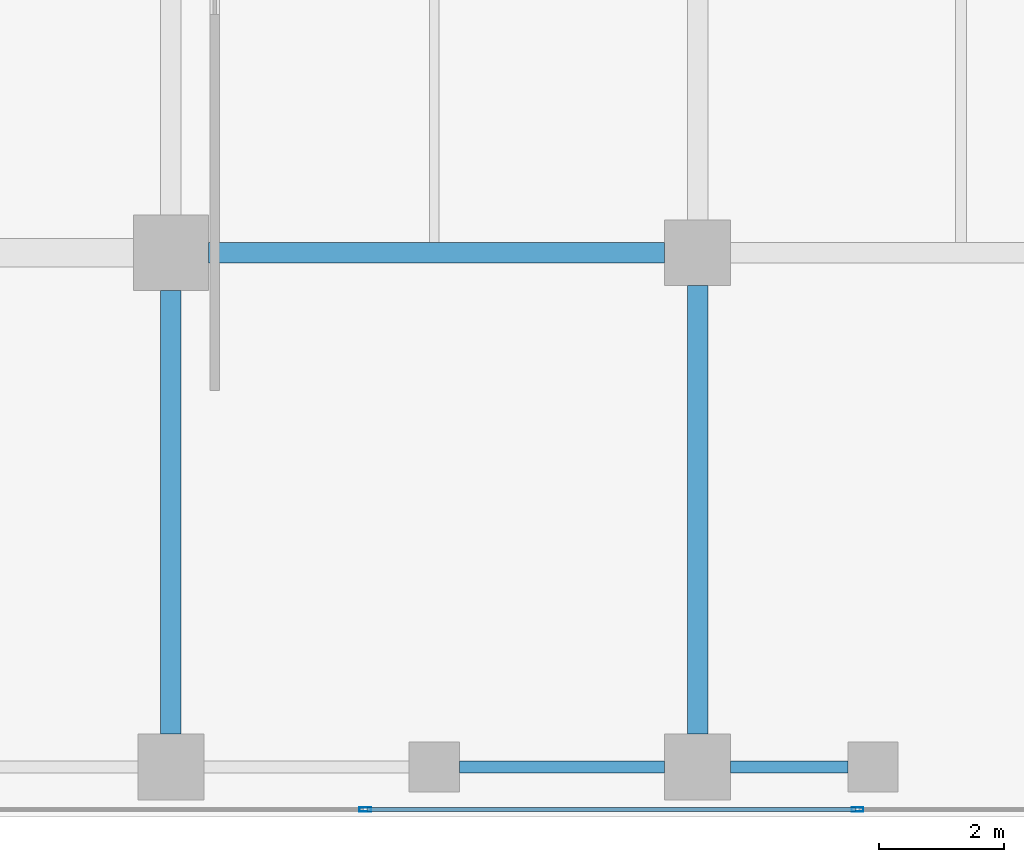
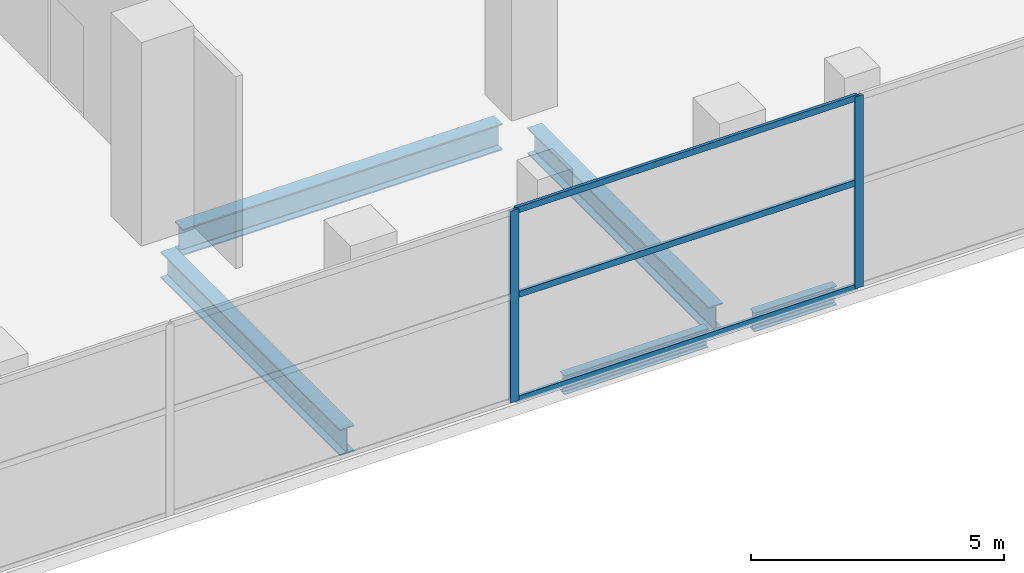
# One storey, part 15 of 39: 5 beams, 5 members, 1 element without a shape of its own.
"""IFC4 building model written with IfcOpenShell, lengths in metres."""

from ifc_helpers import new_model, si_unit, direction, frame, origin, origin_2d, place, context, subcontext, project, spatial, hollow_rectangle, i_section, extrude, material, layer, layer_set, material_profile, profile_set, type_object, element, aggregate, save


model = new_model("IFC4")

# Units and contexts
model_context = context("Model", 3, precision=1e-05, world=origin(), true_north=direction((0.0, 1.0)))
body_context = subcontext(model_context, "Body", "Model", "MODEL_VIEW")
ifc_project = project(units=[si_unit("LENGTHUNIT", "METRE"), si_unit("AREAUNIT", "SQUARE_METRE"), si_unit("VOLUMEUNIT", "CUBIC_METRE"), si_unit("PLANEANGLEUNIT", "RADIAN"), si_unit("MASSUNIT", "GRAM", prefix="KILO")], contexts=[model_context])

# Site, building, storey
site_placement = place(None, origin())
site = spatial("IfcSite", under=ifc_project, at=site_placement, CompositionType="ELEMENT")
building_placement = place(site_placement, origin())
building = spatial("IfcBuilding", under=site, at=building_placement, Name="Maruvema Waterfront Hotel and Observation Tower", CompositionType="ELEMENT")
storey_placement = place(building_placement, frame((0.0, 0.0, 16.449951171875)))
storey = spatial("IfcBuildingStorey", under=building, at=storey_placement, Name="L03", CompositionType="ELEMENT", Elevation=16.449951171875)

# Curtain wall, members
ifc_material_1 = material(Name="Anodised bronze aluminium and solar-control low-E IGU", Category="aluminium")
ifc_layer = layer(ifc_material_1, 0.159912109375, Name="Podium Waterfront Storefront Curtain Wall System CW-01")
ifc_layer_set = layer_set([ifc_layer], Name="Anodised bronze aluminium and solar-control low-E IGU")
curtain_wall_type = type_object("IfcCurtainWallType", Name="Podium Waterfront Storefront Curtain Wall System CW-01", PredefinedType="USERDEFINED", material=ifc_layer_set)
curtain_wall_placement = place(storey_placement, origin())
curtain_wall = element("IfcCurtainWall", 1, at=curtain_wall_placement, inside=storey, type_object=curtain_wall_type, Name="L03 Curtain Wall CW-L03-S", ObjectType="UNITISED CURTAIN WALL", PredefinedType="USERDEFINED")
ifc_material_2 = material(Name="Anodised architectural bronze aluminium", Category="aluminium")
ifc_material_profile_1 = material_profile(ifc_material_2, hollow_rectangle(XDim=0.070068359375, YDim=0.14990234375, WallThickness=0.00390625, at=origin_2d()), Name="ALU-T70x150")
ifc_profile_set_1 = profile_set([ifc_material_profile_1], Name="Anodised architectural bronze aluminium")
member_type_1 = type_object("IfcMemberType", Name="Curtain Wall Horizontal Transom ALU-T70x150", PredefinedType="USERDEFINED", material=ifc_profile_set_1)
member_1_placement = place(storey_placement, frame((53.530029296875, 0.1201171875, 0.030029296875), z_axis=(1.0, 0.0, 0.0), x_axis=(0.0, 1.0, 0.0)))
member_1 = element("IfcMember", 2, at=member_1_placement, type_object=member_type_1, Name="CW-01 transom 7.1", ObjectType="TRANSOM", PredefinedType="USERDEFINED", context=body_context, shape_type="SweptSolid", body=[
    extrude(hollow_rectangle(XDim=0.070068359375, YDim=0.14990234375, WallThickness=0.00390625, at=origin_2d()), origin(), (0.0, 0.0, 1.0), 7.7900390625),
])
member_2_placement = place(storey_placement, frame((53.530029296875, 0.1201171875, 2.550048828125), z_axis=(1.0, 0.0, 0.0), x_axis=(0.0, 1.0, 0.0)))
member_2 = element("IfcMember", 3, at=member_2_placement, type_object=member_type_1, Name="CW-01 transom 7.2", ObjectType="TRANSOM", PredefinedType="USERDEFINED", context=body_context, shape_type="SweptSolid", body=[
    extrude(hollow_rectangle(XDim=0.070068359375, YDim=0.14990234375, WallThickness=0.00390625, at=origin_2d()), origin(), (0.0, 0.0, 1.0), 7.7900390625),
])
member_3_placement = place(storey_placement, frame((53.530029296875, 0.1201171875, 4.590087890625), z_axis=(1.0, 0.0, 0.0), x_axis=(0.0, 1.0, 0.0)))
member_3 = element("IfcMember", 4, at=member_3_placement, type_object=member_type_1, Name="CW-01 transom 7.3", ObjectType="TRANSOM", PredefinedType="USERDEFINED", context=body_context, shape_type="SweptSolid", body=[
    extrude(hollow_rectangle(XDim=0.070068359375, YDim=0.14990234375, WallThickness=0.00390625, at=origin_2d()), origin(), (0.0, 0.0, 1.0), 7.7900390625),
])

# Beams
ifc_material_3 = material(Name="Steel ASTM A572 Grade 50", Category="steel")
ifc_material_profile_2 = material_profile(ifc_material_3, i_section(OverallWidth=0.18994140625, OverallDepth=0.45703125, WebThickness=0.009033203125, FlangeThickness=0.014404296875, FilletRadius=0.014892578125, at=origin_2d()), Name="W460x74.0")
ifc_profile_set_2 = profile_set([ifc_material_profile_2], Name="Steel ASTM A572 Grade 50")
beam_type_1 = type_object("IfcBeamType", Name="Perimeter Spandrel Beam W460x74.0", PredefinedType="SPANDREL", material=ifc_profile_set_2)
beam_1_placement = place(storey_placement, frame((55.0, 0.800048828125, -0.508544921875), z_axis=(1.0, 0.0, 0.0), x_axis=(0.0, 1.0, 0.0)))
element("IfcBeam", 5, at=beam_1_placement, inside=storey, type_object=beam_type_1, Name="L03 Floor Girder EW-08", PredefinedType="SPANDREL", context=body_context, shape_type="SweptSolid", body=[
    extrude(i_section(OverallWidth=0.18994140625, OverallDepth=0.45703125, WebThickness=0.009033203125, FlangeThickness=0.014404296875, FilletRadius=0.014892578125, at=origin_2d()), origin(), (0.0, 0.0, 1.0), 3.27490234375),
])
beam_2_placement = place(storey_placement, frame((59.324951171875, 0.800048828125, -0.508544921875), z_axis=(1.0, 0.0, 0.0), x_axis=(0.0, 1.0, 0.0)))
element("IfcBeam", 6, at=beam_2_placement, inside=storey, type_object=beam_type_1, Name="L03 Floor Girder EW-09", PredefinedType="SPANDREL", context=body_context, shape_type="SweptSolid", body=[
    extrude(i_section(OverallWidth=0.18994140625, OverallDepth=0.45703125, WebThickness=0.009033203125, FlangeThickness=0.014404296875, FilletRadius=0.014892578125, at=origin_2d()), origin(), (0.0, 0.0, 1.0), 1.875),
])

# Member
ifc_material_4 = material(Name="Anodised architectural bronze aluminium", Category="aluminium")
ifc_material_profile_3 = material_profile(ifc_material_4, hollow_rectangle(XDim=0.070068359375, YDim=0.18994140625, WallThickness=0.00390625, at=origin_2d()), Name="ALU-M70x190")
ifc_profile_set_3 = profile_set([ifc_material_profile_3], Name="Anodised architectural bronze aluminium")
member_type_2 = type_object("IfcMemberType", Name="Podium Storefront Heavy Mullion ALU-M70x190", PredefinedType="MULLION", material=ifc_profile_set_3)
member_4_placement = place(storey_placement, frame((53.5, 0.1201171875, 0.0), z_axis=(0.0, 0.0, 1.0), x_axis=(0.0, 1.0, 0.0)))
member_4 = element("IfcMember", 7, at=member_4_placement, type_object=member_type_2, Name="CW-01 mullion 7", PredefinedType="MULLION", context=body_context, shape_type="SweptSolid", body=[
    extrude(hollow_rectangle(XDim=0.070068359375, YDim=0.18994140625, WallThickness=0.00390625, at=origin_2d()), origin(), (0.0, 0.0, 1.0), 4.6201171875),
])

member_5_placement = place(storey_placement, frame((61.35009765625, 0.1201171875, 0.0), z_axis=(0.0, 0.0, 1.0), x_axis=(0.0, 1.0, 0.0)))
member_5 = element("IfcMember", 8, at=member_5_placement, type_object=member_type_2, Name="CW-01 mullion 8", PredefinedType="MULLION", context=body_context, shape_type="SweptSolid", body=[
    extrude(hollow_rectangle(XDim=0.070068359375, YDim=0.18994140625, WallThickness=0.00390625, at=origin_2d()), origin(), (0.0, 0.0, 1.0), 4.6201171875),
])

aggregate(curtain_wall, [member_4, member_5, member_1, member_2, member_3])

# Beams
ifc_material_5 = material(Name="Steel ASTM A572 Grade 50", Category="steel")
ifc_material_profile_4 = material_profile(ifc_material_5, i_section(OverallWidth=0.3291015625, OverallDepth=0.635009765625, WebThickness=0.017822265625, FlangeThickness=0.031005859375, FilletRadius=0.01806640625, at=origin_2d()), Name="W610x241.0")
ifc_profile_set_4 = profile_set([ifc_material_profile_4], Name="Steel ASTM A572 Grade 50")
beam_type_2 = type_object("IfcBeamType", Name="Primary Floor Girder W610x241.0", PredefinedType="BEAM", material=ifc_profile_set_4)
beam_3_placement = place(storey_placement, frame((51.0, 9.0, -0.597412109375), z_axis=(1.0, 0.0, 0.0), x_axis=(0.0, 1.0, 0.0)))
element("IfcBeam", 9, at=beam_3_placement, inside=storey, type_object=beam_type_2, Name="L03 Floor Girder EW-13", PredefinedType="BEAM", context=body_context, shape_type="SweptSolid", body=[
    extrude(i_section(OverallWidth=0.3291015625, OverallDepth=0.635009765625, WebThickness=0.017822265625, FlangeThickness=0.031005859375, FilletRadius=0.01806640625, at=origin_2d()), origin(), (0.0, 0.0, 1.0), 7.27490234375),
])
beam_4_placement = place(storey_placement, frame((50.39990234375, 1.324951171875, -0.597412109375), z_axis=(0.0, 1.0, 0.0), x_axis=(-1.0, 0.0, 0.0)))
element("IfcBeam", 10, at=beam_4_placement, inside=storey, type_object=beam_type_2, Name="L03 Floor Girder NS-18", PredefinedType="BEAM", context=body_context, shape_type="SweptSolid", body=[
    extrude(i_section(OverallWidth=0.3291015625, OverallDepth=0.635009765625, WebThickness=0.017822265625, FlangeThickness=0.031005859375, FilletRadius=0.01806640625, at=origin_2d()), origin(), (0.0, 0.0, 1.0), 7.074951171875),
])
beam_5_placement = place(storey_placement, frame((58.800048828125, 1.324951171875, -0.597412109375), z_axis=(0.0, 1.0, 0.0), x_axis=(-1.0, 0.0, 0.0)))
element("IfcBeam", 11, at=beam_5_placement, inside=storey, type_object=beam_type_2, Name="L03 Floor Girder NS-23", PredefinedType="BEAM", context=body_context, shape_type="SweptSolid", body=[
    extrude(i_section(OverallWidth=0.3291015625, OverallDepth=0.635009765625, WebThickness=0.017822265625, FlangeThickness=0.031005859375, FilletRadius=0.01806640625, at=origin_2d()), origin(), (0.0, 0.0, 1.0), 7.150146484375),
])

save(model, "model.ifc")
